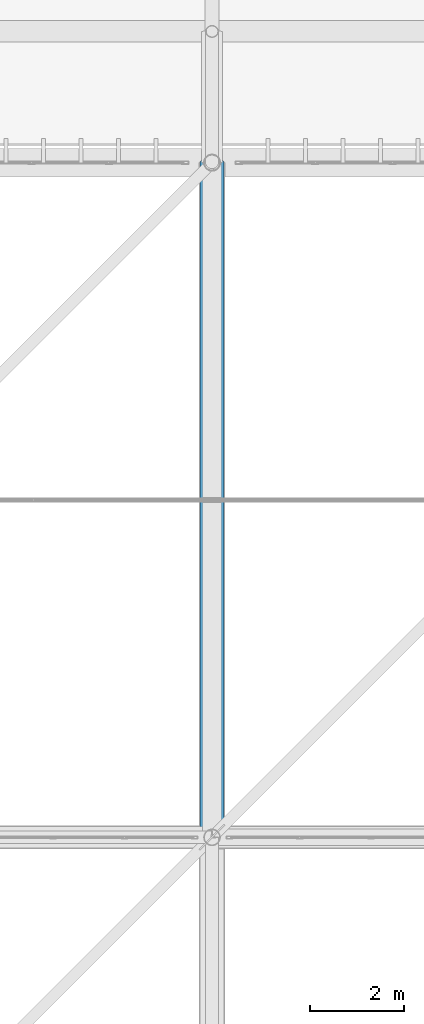
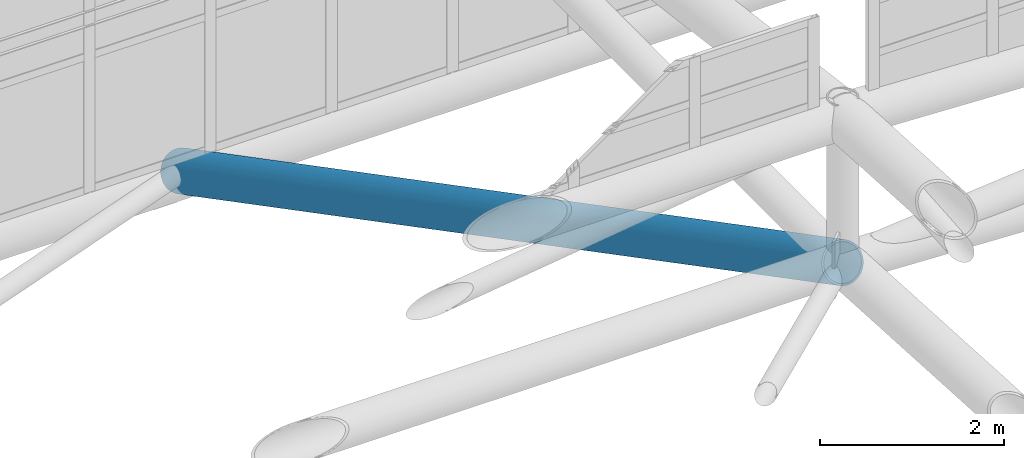
# One storey, part 305 of 397: 1 beam.
"""IFC4 building model written with IfcOpenShell, lengths in metres."""

from ifc_helpers import new_model, si_unit, direction, frame, origin, origin_2d, place, context, subcontext, project, spatial, hollow_circle, extrude, material, material_profile, profile_set, type_object, element, save


model = new_model("IFC4")

# Units and contexts
model_context = context("Model", 3, precision=1e-05, world=origin(), true_north=direction((0.0, 1.0)))
body_context = subcontext(model_context, "Body", "Model", "MODEL_VIEW")
ifc_project = project(units=[si_unit("LENGTHUNIT", "METRE"), si_unit("AREAUNIT", "SQUARE_METRE"), si_unit("VOLUMEUNIT", "CUBIC_METRE"), si_unit("PLANEANGLEUNIT", "RADIAN"), si_unit("MASSUNIT", "GRAM", prefix="KILO")], contexts=[model_context])

# Site, building, storey
site_placement = place(None, origin())
site = spatial("IfcSite", under=ifc_project, at=site_placement, CompositionType="ELEMENT")
building_placement = place(site_placement, origin())
building = spatial("IfcBuilding", under=site, at=building_placement, Name="Qandorah Velis Arena", CompositionType="ELEMENT")
storey_placement = place(building_placement, frame((0.0, 0.0, 27.5)))
storey = spatial("IfcBuildingStorey", under=building, at=storey_placement, Name="RF", CompositionType="ELEMENT", Elevation=27.5)

# Beam
ifc_material = material(Name="Steel S355", Category="steel")
ifc_material_profile = material_profile(ifc_material, hollow_circle(Radius=0.25390625, WallThickness=0.02490234375, at=origin_2d()), Name="CHS 508x25")
ifc_profile_set = profile_set([ifc_material_profile], Name="Steel S355")
beam_type = type_object("IfcBeamType", Name="STR-SFC-CHS508X25", PredefinedType="USERDEFINED", material=ifc_profile_set)
beam_placement = place(storey_placement, frame((72.0, 100.800048828125, 7.61328125), z_axis=(0.0, 0.886580021786, -0.462575253305), x_axis=(-1.0, 0.0, 0.0)))
element("IfcBeam", 1, at=beam_placement, inside=storey, type_object=beam_type, Name="Space frame roof truss bottom chord Y 4.6", ObjectType="ROOF TRUSS", PredefinedType="USERDEFINED", context=body_context, shape_type="SweptSolid", body=[
    extrude(hollow_circle(Radius=0.25390625, WallThickness=0.02490234375, at=origin_2d()), origin(), (0.0, 0.0, 1.0), 16.2421875),
])

save(model, "model.ifc")
